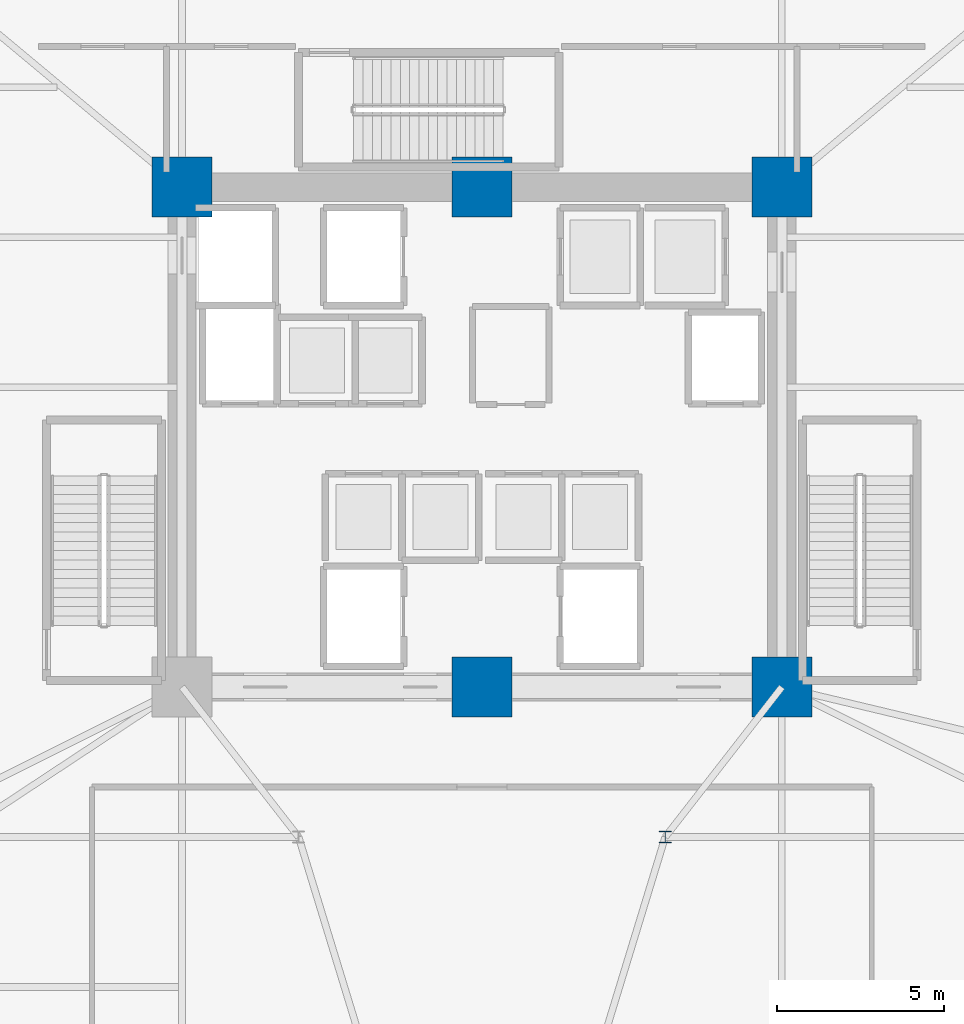
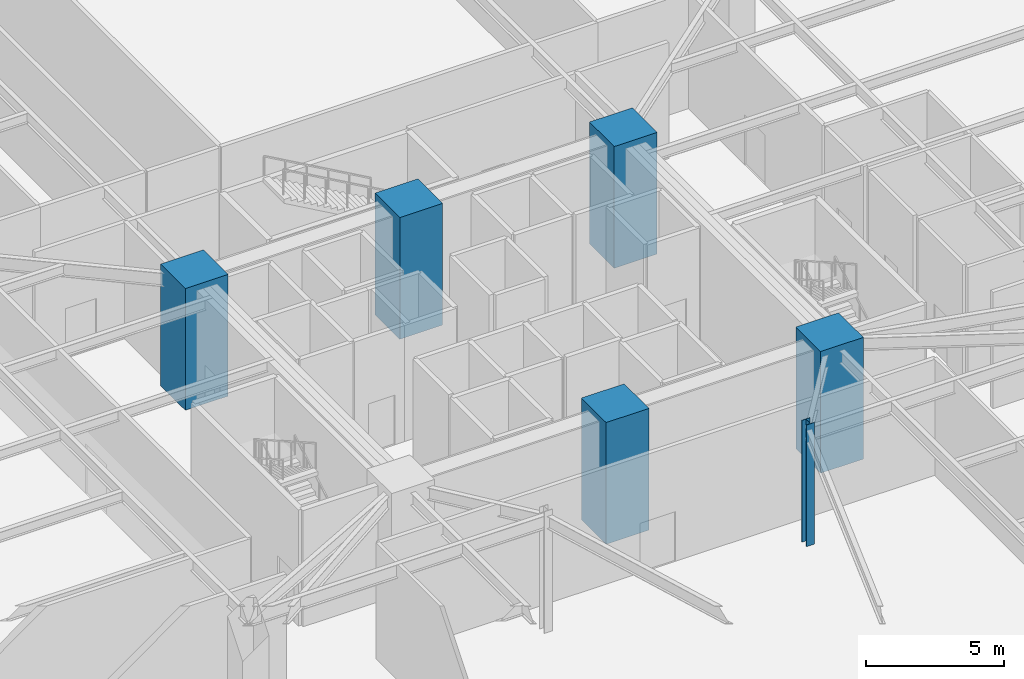
# One storey, part 3 of 30: 6 columns.
"""IFC4 building model written with IfcOpenShell, lengths in metres."""

from ifc_helpers import new_model, si_unit, direction, frame, origin, origin_2d, place, context, subcontext, project, spatial, rectangle, i_section, extrude, source, transform, mapped, material, material_profile, profile_set, type_object, element, save


model = new_model("IFC4")

# Units and contexts
model_context = context("Model", 3, precision=1e-05, world=origin(), true_north=direction((0.0, 1.0)))
body_context = subcontext(model_context, "Body", "Model", "MODEL_VIEW")
ifc_project = project(units=[si_unit("LENGTHUNIT", "METRE"), si_unit("AREAUNIT", "SQUARE_METRE"), si_unit("VOLUMEUNIT", "CUBIC_METRE"), si_unit("PLANEANGLEUNIT", "RADIAN"), si_unit("MASSUNIT", "GRAM", prefix="KILO")], contexts=[model_context])

# Site, building, storey
site_placement = place(None, origin())
site = spatial("IfcSite", under=ifc_project, at=site_placement, CompositionType="ELEMENT")
building_placement = place(site_placement, origin())
building = spatial("IfcBuilding", under=site, at=building_placement, Name="Liaohun Quay Tower", CompositionType="ELEMENT")
storey_placement = place(building_placement, origin())
storey = spatial("IfcBuildingStorey", under=building, at=storey_placement, Name="L01", CompositionType="ELEMENT", Elevation=0.0)

# Columns
ifc_material_1 = material(Name="Concrete C60", Category="concrete")
ifc_material_profile_1 = material_profile(ifc_material_1, rectangle(XDim=1.800048828125, YDim=1.800048828125, at=origin_2d()), Name="RC1800x1800")
ifc_profile_set_1 = profile_set([ifc_material_profile_1], Name="Concrete C60")
column_type_1 = type_object("IfcColumnType", Name="COL-CC-B", PredefinedType="COLUMN", material=ifc_profile_set_1)
shared_shape_1 = source(origin(), body_context, "Body", "SweptSolid", [
    extrude(rectangle(XDim=1.800048828125, YDim=1.800048828125, at=origin_2d()), origin(), (0.0, 0.0, 1.0), 5.39990234375),
])
for number, where, z_axis, x_axis, name in (
    (1, (60.0, 46.5, 0.0), (0.0, 0.0, 1.0), (1.0, 0.0, 0.0), "L01 Core Column CC2"),
    (2, (69.0, 46.5, 0.0), (0.0, 0.0, 1.0), (1.0, 0.0, 0.0), "L01 Core Column CC3"),
    (3, (69.0, 61.5, 0.0), (0.0, 0.0, 1.0), (1.0, 0.0, 0.0), "L01 Core Column CC4"),
    (4, (60.0, 61.5, 0.0), (0.0, 0.0, 1.0), (1.0, 0.0, 0.0), "L01 Core Column CC5"),
    (5, (51.0, 61.5, 0.0), (0.0, 0.0, 1.0), (1.0, 0.0, 0.0), "L01 Core Column CC6"),
):
    element("IfcColumn", number, at=place(storey_placement, frame(where, z_axis=z_axis, x_axis=x_axis)), inside=storey, type_object=column_type_1, Name=name, PredefinedType="COLUMN", context=body_context, shape_type="MappedRepresentation", body=[
        mapped(shared_shape_1, transform((0.0, 0.0, 0.0), x_axis=(1.0, 0.0, 0.0), y_axis=(0.0, 1.0, 0.0), z_axis=(0.0, 0.0, 1.0), scale=1.0)),
    ])
ifc_material_2 = material(Name="Steel Q355D", Category="steel")
ifc_material_profile_2 = material_profile(ifc_material_2, i_section(OverallWidth=0.35009765625, OverallDepth=0.35009765625, WebThickness=0.011962890625, FlangeThickness=0.01904296875, at=origin_2d()), Name="HW350x350x12x19")
ifc_profile_set_2 = profile_set([ifc_material_profile_2], Name="Steel Q355D")
column_type_2 = type_object("IfcColumnType", Name="COL-STL-ATR", PredefinedType="COLUMN", material=ifc_profile_set_2)
shared_shape_2 = source(origin(), body_context, "Body", "SweptSolid", [
    extrude(i_section(OverallWidth=0.35009765625, OverallDepth=0.35009765625, WebThickness=0.011962890625, FlangeThickness=0.01904296875, at=origin_2d()), origin(), (0.0, 0.0, 1.0), 5.39990234375),
])
column_placement = place(storey_placement, frame((65.5, 42.0, 0.0), z_axis=(0.0, 0.0, 1.0), x_axis=(1.0, 0.0, 0.0)))
element("IfcColumn", 6, at=column_placement, inside=storey, type_object=column_type_2, Name="L01 Atrium Feature Column AT2", PredefinedType="COLUMN", context=body_context, shape_type="MappedRepresentation", body=[
    mapped(shared_shape_2, transform((0.0, 0.0, 0.0), x_axis=(1.0, 0.0, 0.0), y_axis=(0.0, 1.0, 0.0), z_axis=(0.0, 0.0, 1.0), scale=1.0)),
])

save(model, "model.ifc")
